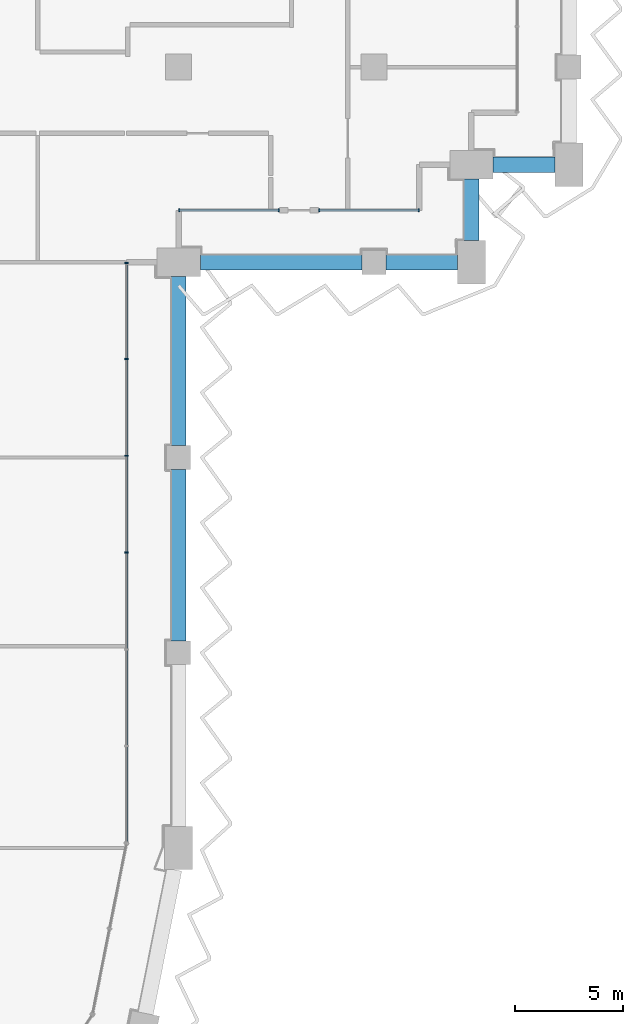
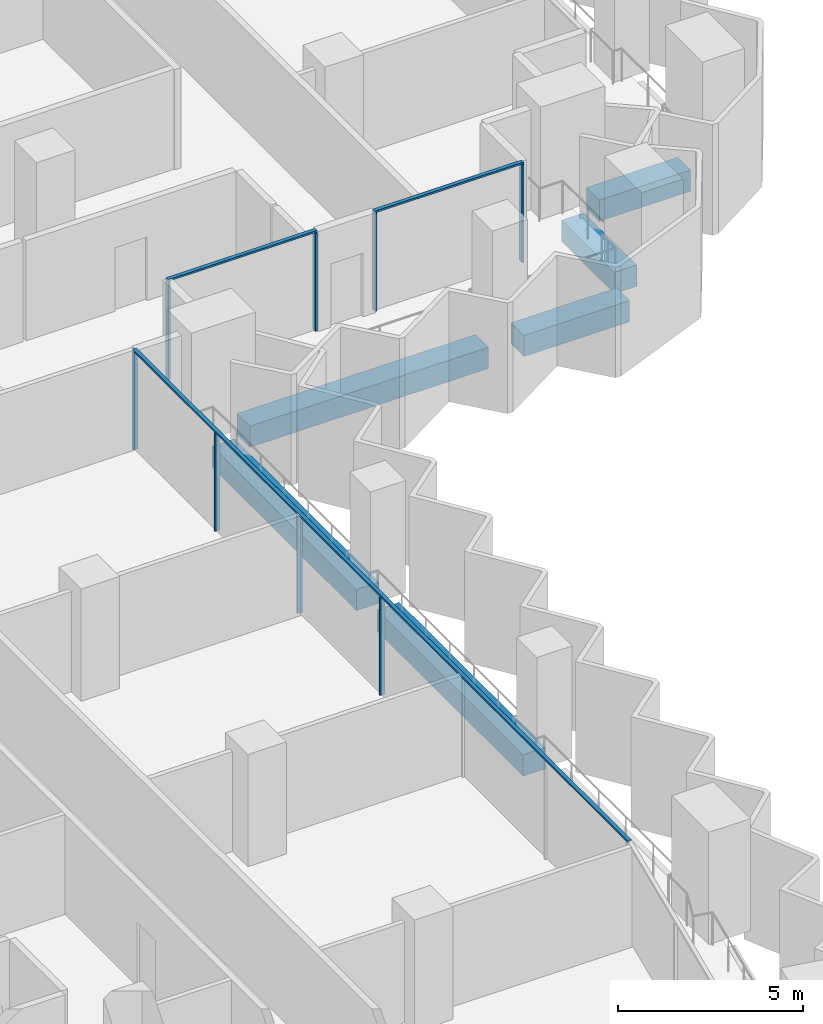
# One storey, part 4 of 23: 11 members, 6 beams, 3 elements without a shape of their own.
"""IFC4 building model written with IfcOpenShell, lengths in metres."""

from ifc_helpers import new_model, si_unit, direction, frame, origin, origin_2d, place, context, subcontext, project, spatial, rectangle, extrude, material, material_profile, profile_set, type_object, element, aggregate, save


model = new_model("IFC4")

# Units and contexts
model_context = context("Model", 3, precision=1e-05, world=origin(), true_north=direction((0.0, 1.0)))
body_context = subcontext(model_context, "Body", "Model", "MODEL_VIEW")
ifc_project = project(units=[si_unit("LENGTHUNIT", "METRE"), si_unit("AREAUNIT", "SQUARE_METRE"), si_unit("VOLUMEUNIT", "CUBIC_METRE"), si_unit("PLANEANGLEUNIT", "RADIAN"), si_unit("MASSUNIT", "GRAM", prefix="KILO")], contexts=[model_context])

# Site, building, storey
site_placement = place(None, origin())
site = spatial("IfcSite", under=ifc_project, at=site_placement, CompositionType="ELEMENT")
building_placement = place(site_placement, origin())
building = spatial("IfcBuilding", under=site, at=building_placement, Name="Hunhe Ridgeline Campus", CompositionType="ELEMENT")
storey_placement = place(building_placement, frame((0.0, 0.0, 152.300048828125)))
storey = spatial("IfcBuildingStorey", under=building, at=storey_placement, Name="L38", CompositionType="ELEMENT", Elevation=152.300048828125)

# Curtain wall, members
ifc_material_1 = material(Name="Aluminium 6063", Category="aluminium")
curtain_wall_type = type_object("IfcCurtainWallType", Name="Curtain wall CW-1", PredefinedType="NOTDEFINED", material=ifc_material_1)
curtain_wall_1_placement = place(storey_placement, origin())
curtain_wall_1 = element("IfcCurtainWall", 1, at=curtain_wall_1_placement, inside=storey, type_object=curtain_wall_type, Name="Curtain wall 11", PredefinedType="NOTDEFINED")
ifc_material_profile_1 = material_profile(ifc_material_1, rectangle(XDim=0.159912109375, YDim=0.06005859375, at=origin_2d()))
ifc_profile_set_1 = profile_set([ifc_material_profile_1], Name="Aluminium 6063")
member_type_1 = type_object("IfcMemberType", Name="CW-1 aluminium mullion", PredefinedType="MULLION", material=ifc_profile_set_1)
member_1_placement = place(storey_placement, frame((42.59912109375, 40.618408203125, 0.0), z_axis=(0.0, 0.0, 1.0), x_axis=(-0.99999999999, 4.408911e-06, 0.0)))
member_1 = element("IfcMember", 2, at=member_1_placement, type_object=member_type_1, Name="CW-1 mullion 4", PredefinedType="MULLION", context=body_context, shape_type="SweptSolid", body=[
    extrude(rectangle(XDim=0.159912109375, YDim=0.06005859375, at=origin_2d()), origin(), (0.0, 0.0, 1.0), 3.239990234375),
])
member_2_placement = place(storey_placement, frame((42.59912109375, 45.0791015625, 0.0), z_axis=(0.0, 0.0, 1.0), x_axis=(-0.99999999999, 4.408911e-06, 0.0)))
member_2 = element("IfcMember", 3, at=member_2_placement, type_object=member_type_1, Name="CW-1 mullion 5", PredefinedType="MULLION", context=body_context, shape_type="SweptSolid", body=[
    extrude(rectangle(XDim=0.159912109375, YDim=0.06005859375, at=origin_2d()), origin(), (0.0, 0.0, 1.0), 3.239990234375),
])
member_3_placement = place(storey_placement, frame((42.59912109375, 49.539794921875, 0.0), z_axis=(0.0, 0.0, 1.0), x_axis=(-0.99999999999, 4.408911e-06, 0.0)))
member_3 = element("IfcMember", 4, at=member_3_placement, type_object=member_type_1, Name="CW-1 mullion 6", PredefinedType="MULLION", context=body_context, shape_type="SweptSolid", body=[
    extrude(rectangle(XDim=0.159912109375, YDim=0.06005859375, at=origin_2d()), origin(), (0.0, 0.0, 1.0), 3.239990234375),
])
member_4_placement = place(storey_placement, frame((42.59912109375, 53.970458984375, 0.0), z_axis=(0.0, 0.0, 1.0), x_axis=(-0.99999999999, 4.408911e-06, 0.0)))
member_4 = element("IfcMember", 5, at=member_4_placement, type_object=member_type_1, Name="CW-1 mullion 7", PredefinedType="MULLION", context=body_context, shape_type="SweptSolid", body=[
    extrude(rectangle(XDim=0.159912109375, YDim=0.06005859375, at=origin_2d()), origin(), (0.0, 0.0, 1.0), 3.239990234375),
])

curtain_wall_2_placement = place(storey_placement, origin())
curtain_wall_2 = element("IfcCurtainWall", 6, at=curtain_wall_2_placement, inside=storey, type_object=curtain_wall_type, Name="Curtain wall 12", PredefinedType="NOTDEFINED")
member_5_placement = place(storey_placement, frame((45.02978515625, 56.40087890625, 0.0), z_axis=(0.0, 0.0, 1.0), x_axis=(-1.72058e-06, 0.999999999999, 0.0)))
member_5 = element("IfcMember", 7, at=member_5_placement, type_object=member_type_1, Name="CW-1 mullion 1", PredefinedType="MULLION", context=body_context, shape_type="SweptSolid", body=[
    extrude(rectangle(XDim=0.159912109375, YDim=0.06005859375, at=origin_2d()), origin(), (0.0, 0.0, 1.0), 3.239990234375),
])
member_6_placement = place(storey_placement, frame((49.619384765625, 56.40087890625, 0.0), z_axis=(0.0, 0.0, 1.0), x_axis=(-1.72058e-06, 0.999999999999, 0.0)))
member_6 = element("IfcMember", 8, at=member_6_placement, type_object=member_type_1, Name="CW-1 mullion 2", PredefinedType="MULLION", context=body_context, shape_type="SweptSolid", body=[
    extrude(rectangle(XDim=0.159912109375, YDim=0.06005859375, at=origin_2d()), origin(), (0.0, 0.0, 1.0), 3.239990234375),
])

curtain_wall_3_placement = place(storey_placement, origin())
curtain_wall_3 = element("IfcCurtainWall", 9, at=curtain_wall_3_placement, inside=storey, type_object=curtain_wall_type, Name="Curtain wall 13", PredefinedType="NOTDEFINED")
member_7_placement = place(storey_placement, frame((51.4794921875, 56.40087890625, 0.0), z_axis=(0.0, 0.0, 1.0), x_axis=(-1.72058e-06, 0.999999999999, 0.0)))
member_7 = element("IfcMember", 10, at=member_7_placement, type_object=member_type_1, Name="CW-1 mullion 1", PredefinedType="MULLION", context=body_context, shape_type="SweptSolid", body=[
    extrude(rectangle(XDim=0.159912109375, YDim=0.06005859375, at=origin_2d()), origin(), (0.0, 0.0, 1.0), 3.239990234375),
])
member_8_placement = place(storey_placement, frame((56.069091796875, 56.40087890625, 0.0), z_axis=(0.0, 0.0, 1.0), x_axis=(-1.72058e-06, 0.999999999999, 0.0)))
member_8 = element("IfcMember", 11, at=member_8_placement, type_object=member_type_1, Name="CW-1 mullion 2", PredefinedType="MULLION", context=body_context, shape_type="SweptSolid", body=[
    extrude(rectangle(XDim=0.159912109375, YDim=0.06005859375, at=origin_2d()), origin(), (0.0, 0.0, 1.0), 3.239990234375),
])

# Member
ifc_material_profile_2 = material_profile(ifc_material_1, rectangle(XDim=0.1201171875, YDim=0.06005859375, at=origin_2d()))
ifc_profile_set_2 = profile_set([ifc_material_profile_2], Name="Aluminium 6063")
member_type_2 = type_object("IfcMemberType", Name="CW-1 aluminium transom", PredefinedType="USERDEFINED", material=ifc_profile_set_2)
member_9_placement = place(storey_placement, frame((42.59912109375, 27.236572265625, 3.27001953125), z_axis=(0.0, 1.0, 0.0), x_axis=(-1.0, 0.0, 0.0)))
member_9 = element("IfcMember", 12, at=member_9_placement, type_object=member_type_2, Name="CW-1 transom 1", ObjectType="TRANSOM", PredefinedType="USERDEFINED", context=body_context, shape_type="SweptSolid", body=[
    extrude(rectangle(XDim=0.1201171875, YDim=0.06005859375, at=origin_2d()), origin(), (0.0, 0.0, 1.0), 26.763916015625),
])

aggregate(curtain_wall_1, [member_9, member_1, member_2, member_3, member_4])

member_10_placement = place(storey_placement, frame((44.999755859375, 56.40087890625, 3.27001953125), z_axis=(1.0, 0.0, 0.0), x_axis=(0.0, 1.0, 0.0)))
member_10 = element("IfcMember", 13, at=member_10_placement, type_object=member_type_2, Name="CW-1 transom 1", ObjectType="TRANSOM", PredefinedType="USERDEFINED", context=body_context, shape_type="SweptSolid", body=[
    extrude(rectangle(XDim=0.1201171875, YDim=0.06005859375, at=origin_2d()), origin(), (0.0, 0.0, 1.0), 4.649658203125),
])

aggregate(curtain_wall_2, [member_10, member_5, member_6])

member_11_placement = place(storey_placement, frame((51.449462890625, 56.40087890625, 3.27001953125), z_axis=(1.0, 0.0, 0.0), x_axis=(0.0, 1.0, 0.0)))
member_11 = element("IfcMember", 14, at=member_11_placement, type_object=member_type_2, Name="CW-1 transom 1", ObjectType="TRANSOM", PredefinedType="USERDEFINED", context=body_context, shape_type="SweptSolid", body=[
    extrude(rectangle(XDim=0.1201171875, YDim=0.06005859375, at=origin_2d()), origin(), (0.0, 0.0, 1.0), 4.649658203125),
])

aggregate(curtain_wall_3, [member_11, member_7, member_8])

# Beams
ifc_material_2 = material(Name="Concrete C60", Category="concrete")
ifc_material_profile_3 = material_profile(ifc_material_2, rectangle(XDim=0.699951171875, YDim=0.699951171875, at=origin_2d()))
ifc_profile_set_3 = profile_set([ifc_material_profile_3], Name="Concrete C60")
beam_type = type_object("IfcBeamType", Name="RC spandrel beam 700x700 Concrete C60", PredefinedType="SPANDREL", material=ifc_profile_set_3)
beam_1_placement = place(storey_placement, frame((45.0, 36.550048828125, -0.60009765625), z_axis=(0.0, 1.0, 0.0), x_axis=(-1.0, 0.0, 0.0)))
element("IfcBeam", 15, at=beam_1_placement, inside=storey, type_object=beam_type, Name="Spandrel beam B2-10 L38", PredefinedType="SPANDREL", context=body_context, shape_type="SweptSolid", body=[
    extrude(rectangle(XDim=0.699951171875, YDim=0.699951171875, at=origin_2d()), origin(), (0.0, 0.0, 1.0), 7.89990234375),
])
beam_2_placement = place(storey_placement, frame((45.0, 45.550048828125, -0.60009765625), z_axis=(0.0, 1.0, 0.0), x_axis=(-1.0, 0.0, 0.0)))
element("IfcBeam", 16, at=beam_2_placement, inside=storey, type_object=beam_type, Name="Spandrel beam B2-11 L38", PredefinedType="SPANDREL", context=body_context, shape_type="SweptSolid", body=[
    extrude(rectangle(XDim=0.699951171875, YDim=0.699951171875, at=origin_2d()), origin(), (0.0, 0.0, 1.0), 7.800048828125),
])
beam_3_placement = place(storey_placement, frame((46.0, 54.0, -0.60009765625), z_axis=(1.0, 0.0, 0.0), x_axis=(0.0, 1.0, 0.0)))
element("IfcBeam", 17, at=beam_3_placement, inside=storey, type_object=beam_type, Name="Spandrel beam B2-12 L38", PredefinedType="SPANDREL", context=body_context, shape_type="SweptSolid", body=[
    extrude(rectangle(XDim=0.699951171875, YDim=0.699951171875, at=origin_2d()), origin(), (0.0, 0.0, 1.0), 7.449951171875),
])
beam_4_placement = place(storey_placement, frame((54.550048828125, 54.0, -0.60009765625), z_axis=(1.0, 0.0, 0.0), x_axis=(0.0, 1.0, 0.0)))
element("IfcBeam", 18, at=beam_4_placement, inside=storey, type_object=beam_type, Name="Spandrel beam B2-13 L38", PredefinedType="SPANDREL", context=body_context, shape_type="SweptSolid", body=[
    extrude(rectangle(XDim=0.699951171875, YDim=0.699951171875, at=origin_2d()), origin(), (0.0, 0.0, 1.0), 3.300048828125),
])
for number, where, z_axis, x_axis, name in (
    (19, (58.5, 55.0, -0.60009765625), (0.0, 1.0, 0.0), (-1.0, 0.0, 0.0), "Spandrel beam B2-14 L38"),
    (20, (59.5, 58.5, -0.60009765625), (1.0, 0.0, 0.0), (0.0, 1.0, 0.0), "Spandrel beam B2-15 L38"),
):
    element("IfcBeam", number, at=place(storey_placement, frame(where, z_axis=z_axis, x_axis=x_axis)), inside=storey, type_object=beam_type, Name=name, PredefinedType="SPANDREL", context=body_context, shape_type="SweptSolid", body=[
        extrude(rectangle(XDim=0.699951171875, YDim=0.699951171875, at=origin_2d()), origin(), (0.0, 0.0, 1.0), 2.85009765625),
    ])

save(model, "model.ifc")
